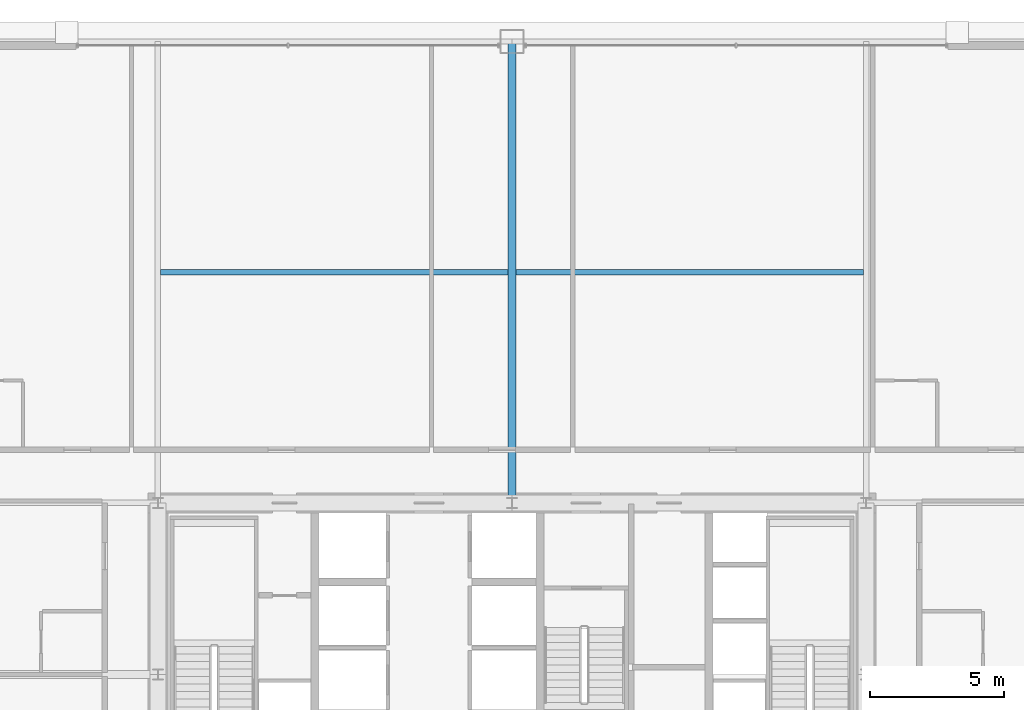
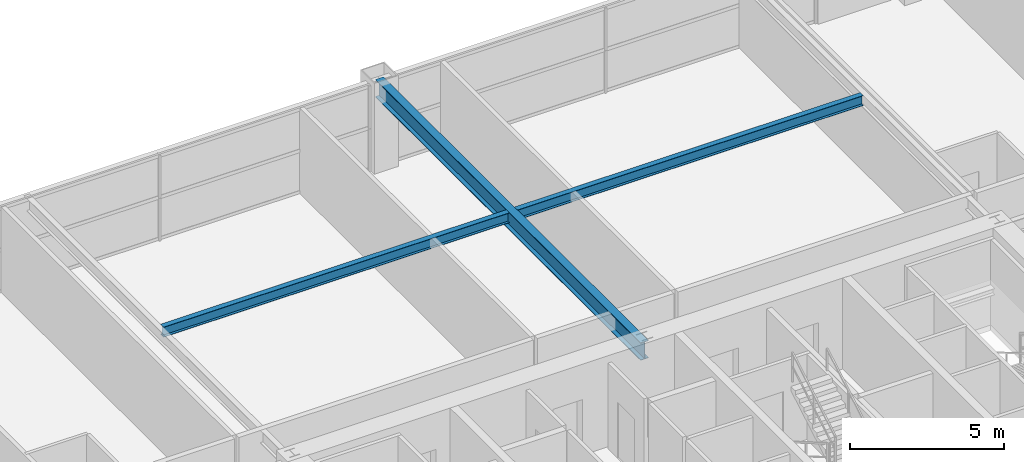
# One storey, part 26 of 39: 3 beams.
"""IFC4 building model written with IfcOpenShell, lengths in metres."""

from ifc_helpers import new_model, si_unit, direction, frame, origin, origin_2d, place, context, subcontext, project, spatial, i_section, extrude, source, transform, mapped, material, material_profile, profile_set, type_object, element, save


model = new_model("IFC4")

# Units and contexts
model_context = context("Model", 3, precision=1e-05, world=origin(), true_north=direction((0.0, 1.0)))
body_context = subcontext(model_context, "Body", "Model", "MODEL_VIEW")
ifc_project = project(units=[si_unit("LENGTHUNIT", "METRE"), si_unit("AREAUNIT", "SQUARE_METRE"), si_unit("VOLUMEUNIT", "CUBIC_METRE"), si_unit("PLANEANGLEUNIT", "RADIAN"), si_unit("MASSUNIT", "GRAM", prefix="KILO"), si_unit("THERMODYNAMICTEMPERATUREUNIT", "KELVIN"), si_unit("POWERUNIT", "WATT")], contexts=[model_context])

# Site, building, storey
site_placement = place(None, origin())
site = spatial("IfcSite", under=ifc_project, at=site_placement, CompositionType="ELEMENT")
building_placement = place(site_placement, origin())
building = spatial("IfcBuilding", under=site, at=building_placement, Name="Yuzanri Waterfront Tower", CompositionType="ELEMENT")
storey_placement = place(building_placement, frame((0.0, 0.0, 141.60009765625)))
storey = spatial("IfcBuildingStorey", under=building, at=storey_placement, Name="L37", CompositionType="ELEMENT", Elevation=141.60009765625)

# Beams
ifc_material_1 = material(Name="Steel Q355B", Category="steel")
ifc_material_profile_1 = material_profile(ifc_material_1, i_section(OverallWidth=0.199951171875, OverallDepth=0.39990234375, WebThickness=0.008056640625, FlangeThickness=0.012939453125, at=origin_2d()), Name="HN 400x200x8x13")
ifc_profile_set_1 = profile_set([ifc_material_profile_1], Name="Steel Q355B")
beam_type_1 = type_object("IfcBeamType", Name="Floor Joist Q355B HN 400x200", PredefinedType="JOIST", material=ifc_profile_set_1)
shared_shape_1 = source(origin(), body_context, "Body", "SweptSolid", [
    extrude(i_section(OverallWidth=0.199951171875, OverallDepth=0.39990234375, WebThickness=0.008056640625, FlangeThickness=0.012939453125, at=origin_2d()), origin(), (0.0, 0.0, 1.0), 12.9501953125),
])
for number, where, z_axis, x_axis, name in (
    (1, (23.89990234375, 40.800048828125, 3.179931640625), (1.0, 0.0, 0.0), (0.0, 1.0, 0.0), "L37 North Bay Joist W"),
    (2, (37.14990234375, 40.800048828125, 3.179931640625), (1.0, 0.0, 0.0), (0.0, 1.0, 0.0), "L37 North Bay Joist E"),
):
    element("IfcBeam", number, at=place(storey_placement, frame(where, z_axis=z_axis, x_axis=x_axis)), inside=storey, type_object=beam_type_1, Name=name, PredefinedType="JOIST", context=body_context, shape_type="MappedRepresentation", body=[
        mapped(shared_shape_1, transform((0.0, 0.0, 0.0), scale=1.0)),
    ])
ifc_material_2 = material(Name="Steel Q355B", Category="steel")
ifc_material_profile_2 = material_profile(ifc_material_2, i_section(OverallWidth=0.300048828125, OverallDepth=0.699951171875, WebThickness=0.012939453125, FlangeThickness=0.02392578125, at=origin_2d()), Name="HN 700x300x13x24")
ifc_profile_set_2 = profile_set([ifc_material_profile_2], Name="Steel Q355B")
beam_type_2 = type_object("IfcBeamType", Name="Primary Floor Girder Q355B HN 700x300", PredefinedType="BEAM", material=ifc_profile_set_2)
shared_shape_2 = source(origin(), body_context, "Body", "SweptSolid", [
    extrude(i_section(OverallWidth=0.300048828125, OverallDepth=0.699951171875, WebThickness=0.012939453125, FlangeThickness=0.02392578125, at=origin_2d()), origin(), (0.0, 0.0, 1.0), 17.199951171875),
])
beam_placement = place(storey_placement, frame((37.0, 32.199951171875, 3.02978515625), z_axis=(0.0, 1.0, 0.0), x_axis=(-1.0, 0.0, 0.0)))
element("IfcBeam", 3, at=beam_placement, inside=storey, type_object=beam_type_2, Name="L37 North Grid Girder", PredefinedType="BEAM", context=body_context, shape_type="MappedRepresentation", body=[
    mapped(shared_shape_2, transform((0.0, 0.0, 0.0), scale=1.0)),
])

save(model, "model.ifc")
